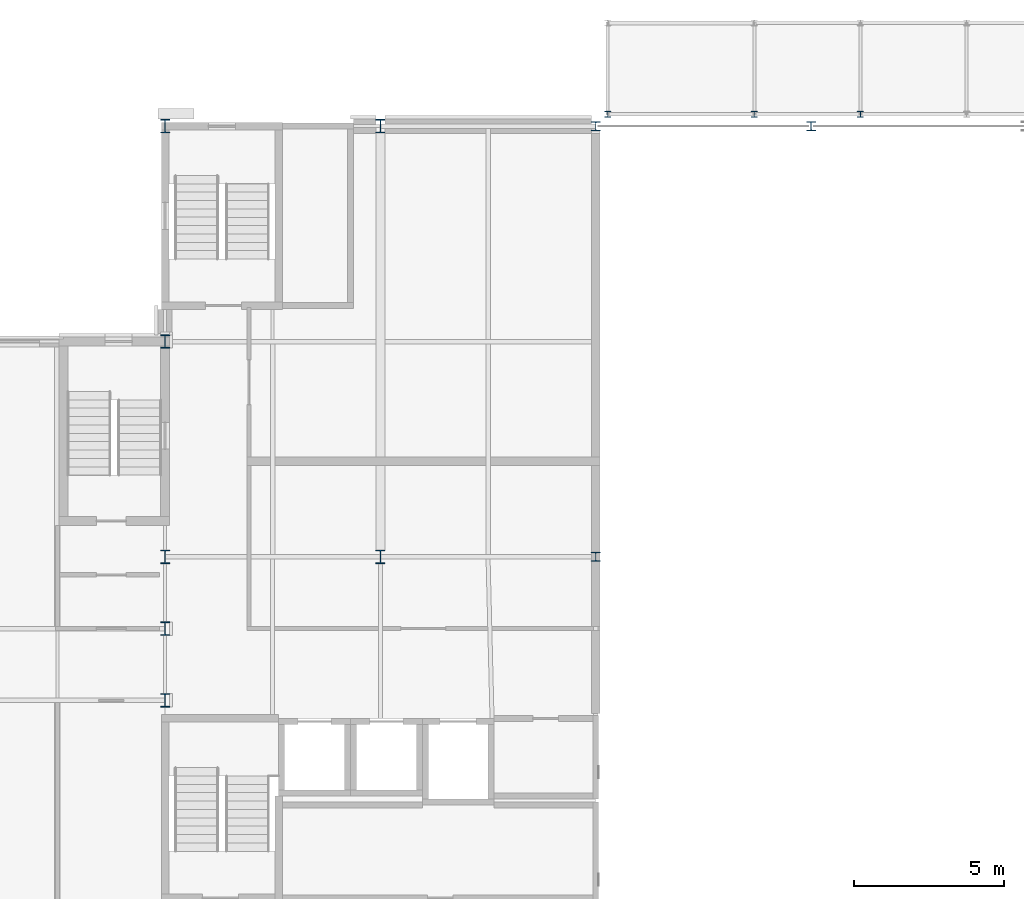
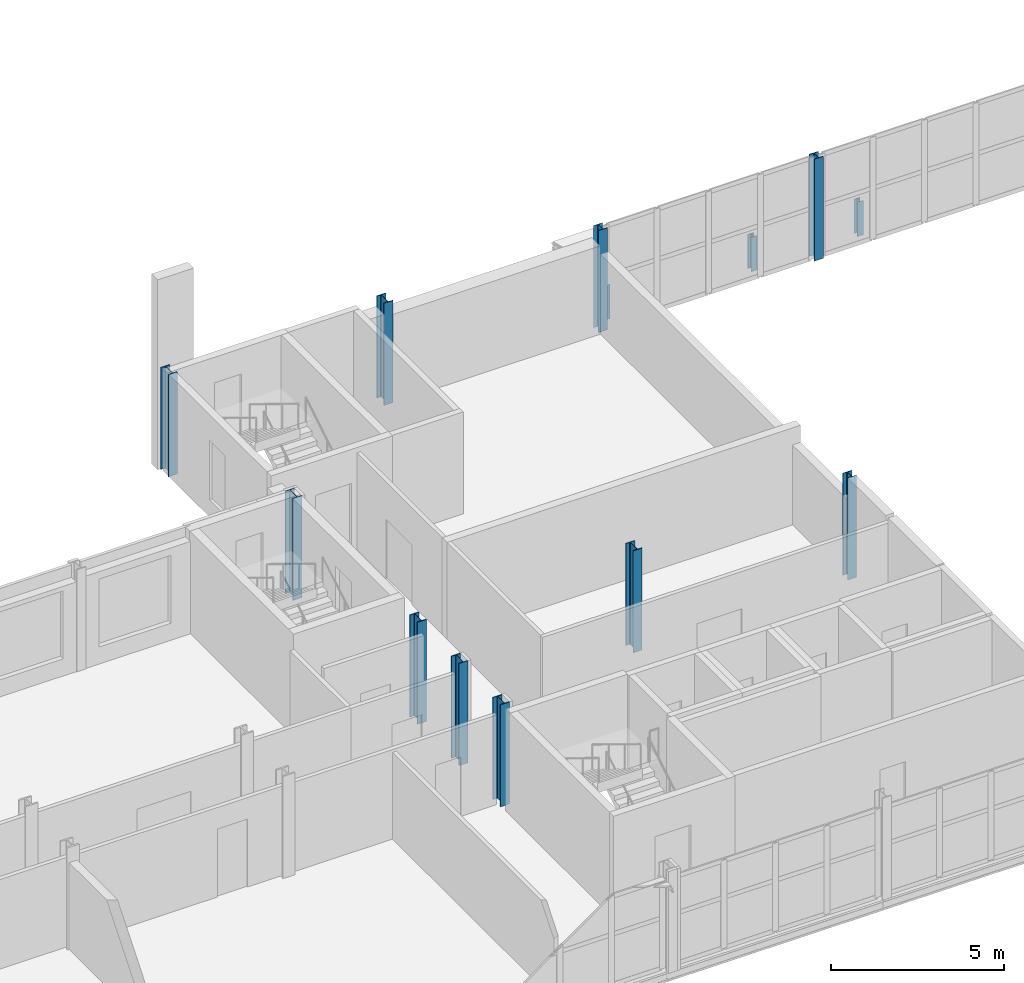
# One storey, part 20 of 124: 13 columns.
"""IFC4 building model written with IfcOpenShell, lengths in metres."""

from ifc_helpers import new_model, si_unit, direction, frame, origin, origin_2d, place, context, subcontext, project, spatial, i_section, extrude, material, material_profile, profile_set, type_object, element, save


model = new_model("IFC4")

# Units and contexts
model_context = context("Model", 3, precision=1e-05, world=origin(), true_north=direction((0.0, 1.0)))
body_context = subcontext(model_context, "Body", "Model", "MODEL_VIEW")
ifc_project = project(units=[si_unit("LENGTHUNIT", "METRE"), si_unit("AREAUNIT", "SQUARE_METRE"), si_unit("VOLUMEUNIT", "CUBIC_METRE"), si_unit("PLANEANGLEUNIT", "RADIAN"), si_unit("MASSUNIT", "GRAM", prefix="KILO")], contexts=[model_context])

# Site, building, storey
site_placement = place(None, origin())
site = spatial("IfcSite", under=ifc_project, at=site_placement, CompositionType="ELEMENT")
building_placement = place(site_placement, origin())
building = spatial("IfcBuilding", under=site, at=building_placement, Name="Kupolbacken Congress Centre", CompositionType="ELEMENT")
storey_placement = place(building_placement, frame((0.0, 0.0, 10.800048828125)))
storey = spatial("IfcBuildingStorey", under=building, at=storey_placement, Name="L03", CompositionType="ELEMENT", Elevation=10.800048828125)

# Columns
ifc_material_1 = material(Name="Steel S355", Category="steel")
ifc_material_profile_1 = material_profile(ifc_material_1, i_section(OverallWidth=0.300048828125, OverallDepth=0.449951171875, WebThickness=0.013916015625, FlangeThickness=0.02587890625, FilletRadius=0.027099609375, at=origin_2d()), Name="HEB 450")
ifc_profile_set_1 = profile_set([ifc_material_profile_1], Name="Steel S355")
column_type_1 = type_object("IfcColumnType", Name="C03 column HEB 450", PredefinedType="COLUMN", material=ifc_profile_set_1)
for number, where, z_axis, x_axis, name in (
    (1, (136.800048828125, 136.800048828125, 0.0), (0.0, 0.0, 1.0), (1.0, 0.0, 0.0), "S/col/C-BF-20V/L03"),
    (2, (136.800048828125, 151.199951171875, 0.0), (0.0, 0.0, 1.0), (1.0, 0.0, 0.0), "S/col/C-BF-20X/L03"),
    (3, (144.0, 136.800048828125, 0.0), (0.0, 0.0, 1.0), (1.0, 0.0, 0.0), "S/col/C-BF-21V/L03"),
    (4, (144.0, 151.199951171875, 0.0), (0.0, 0.0, 1.0), (1.0, 0.0, 0.0), "S/col/C-BF-21X/L03"),
    (5, (136.800048828125, 132.0, 0.0), (0.0, 0.0, 1.0), (1.0, 0.0, 0.0), "S/col/C-T-20U+2400/L03"),
    (6, (136.800048828125, 134.39990234375, 0.0), (0.0, 0.0, 1.0), (1.0, 0.0, 0.0), "S/col/C-T-20U+4800/L03"),
    (7, (136.800048828125, 144.0, 0.0), (0.0, 0.0, 1.0), (1.0, 0.0, 0.0), "S/col/C-T-20W/L03"),
):
    element("IfcColumn", number, at=place(storey_placement, frame(where, z_axis=z_axis, x_axis=x_axis)), inside=storey, type_object=column_type_1, Name=name, PredefinedType="COLUMN", context=body_context, shape_type="SweptSolid", body=[
        extrude(i_section(OverallWidth=0.300048828125, OverallDepth=0.449951171875, WebThickness=0.013916015625, FlangeThickness=0.02587890625, FilletRadius=0.027099609375, at=origin_2d()), origin(), (0.0, 0.0, 1.0), 3.599853515625),
    ])
ifc_material_2 = material(Name="Steel S355", Category="steel")
ifc_material_profile_2 = material_profile(ifc_material_2, i_section(OverallWidth=0.300048828125, OverallDepth=0.300048828125, WebThickness=0.010986328125, FlangeThickness=0.01904296875, FilletRadius=0.027099609375, at=origin_2d()), Name="HEB 300")
ifc_profile_set_2 = profile_set([ifc_material_profile_2], Name="Steel S355")
column_type_2 = type_object("IfcColumnType", Name="C06 column HEB 300", PredefinedType="COLUMN", material=ifc_profile_set_2)
for number, where, z_axis, x_axis, name in (
    (8, (151.199951171875, 151.199951171875, 0.0), (0.0, 0.0, 1.0), (1.0, 0.0, 0.0), "S/col/C-B-B1N/L03"),
    (9, (158.39990234375, 151.199951171875, 0.0), (0.0, 0.0, 1.0), (1.0, 0.0, 0.0), "S/col/C-B-B2N/L03"),
    (10, (151.199951171875, 136.800048828125, 0.0), (0.0, 0.0, 1.0), (1.0, 0.0, 0.0), "S/col/C-B-W/L03"),
):
    element("IfcColumn", number, at=place(storey_placement, frame(where, z_axis=z_axis, x_axis=x_axis)), inside=storey, type_object=column_type_2, Name=name, PredefinedType="COLUMN", context=body_context, shape_type="SweptSolid", body=[
        extrude(i_section(OverallWidth=0.300048828125, OverallDepth=0.300048828125, WebThickness=0.010986328125, FlangeThickness=0.01904296875, FilletRadius=0.027099609375, at=origin_2d()), origin(), (0.0, 0.0, 1.0), 3.599853515625),
    ])
ifc_material_3 = material(Name="Steel S355", Category="steel")
ifc_material_profile_3 = material_profile(ifc_material_3, i_section(OverallWidth=0.199951171875, OverallDepth=0.199951171875, WebThickness=0.009033203125, FlangeThickness=0.014892578125, FilletRadius=0.01806640625, at=origin_2d()), Name="HEB 200")
ifc_profile_set_3 = profile_set([ifc_material_profile_3], Name="Steel S355")
column_type_3 = type_object("IfcColumnType", Name="C11 column HEB 200", PredefinedType="COLUMN", material=ifc_profile_set_3)
for number, where, z_axis, x_axis, name in (
    (11, (151.60009765625, 151.60009765625, 0.0), (0.0, 0.0, 1.0), (1.0, 0.0, 0.0), "Covered passage column"),
    (12, (156.5, 151.60009765625, 0.0), (0.0, 0.0, 1.0), (1.0, 0.0, 0.0), "Covered passage column"),
    (13, (160.050048828125, 151.60009765625, 0.0), (0.0, 0.0, 1.0), (1.0, 0.0, 0.0), "Covered passage column"),
):
    element("IfcColumn", number, at=place(storey_placement, frame(where, z_axis=z_axis, x_axis=x_axis)), inside=storey, type_object=column_type_3, Name=name, PredefinedType="COLUMN", context=body_context, shape_type="SweptSolid", body=[
        extrude(i_section(OverallWidth=0.199951171875, OverallDepth=0.199951171875, WebThickness=0.009033203125, FlangeThickness=0.014892578125, FilletRadius=0.01806640625, at=origin_2d()), origin(), (0.0, 0.0, 1.0), 1.2099609375),
    ])

save(model, "model.ifc")
